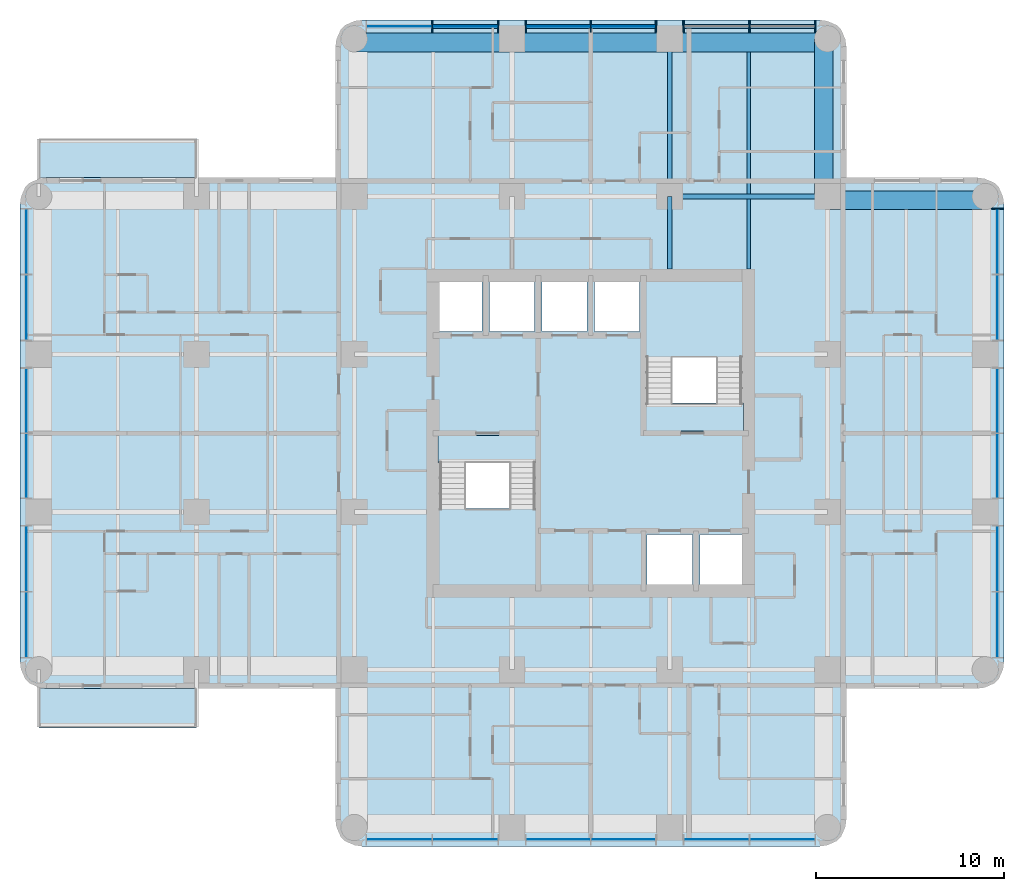
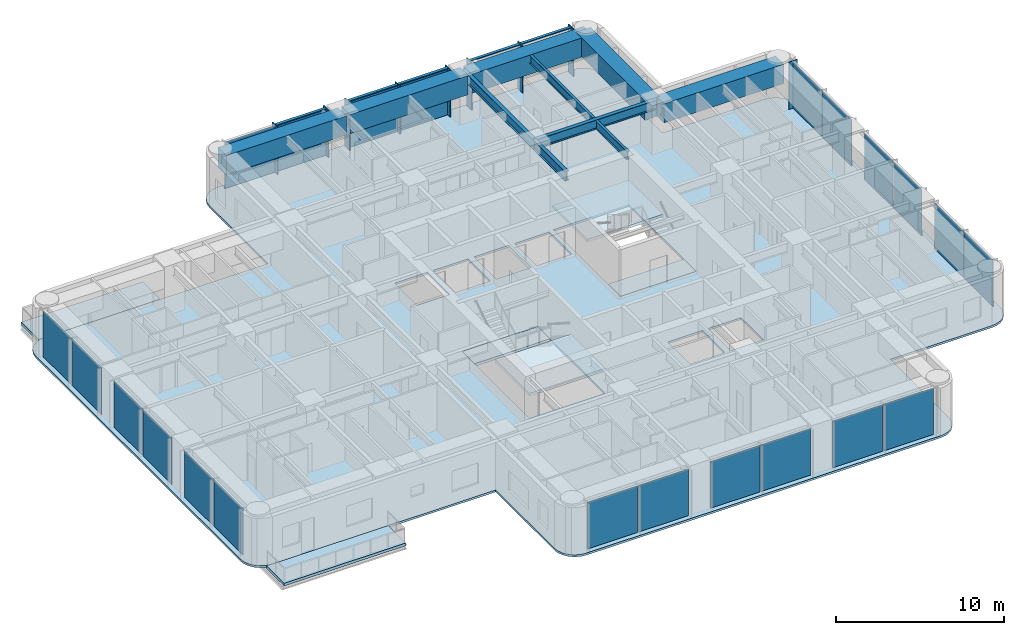
# One storey, part 3 of 11: 22 plates, 14 members, 10 beams, 7 slabs, 6 elements without a shape of their own.
"""IFC4 building model written with IfcOpenShell, lengths in metres."""

from ifc_helpers import new_model, si_unit, direction, frame, origin, origin_2d, place, context, subcontext, project, spatial, polyline, rectangle, i_section, outline, extrude, material, layer, layer_set, material_profile, profile_set, type_object, element, aggregate, save


model = new_model("IFC4")

# Units and contexts
model_context = context("Model", 3, precision=1e-05, world=origin(), true_north=direction((0.0, 1.0)))
body_context = subcontext(model_context, "Body", "Model", "MODEL_VIEW")
ifc_project = project(units=[si_unit("LENGTHUNIT", "METRE"), si_unit("AREAUNIT", "SQUARE_METRE"), si_unit("VOLUMEUNIT", "CUBIC_METRE"), si_unit("PLANEANGLEUNIT", "RADIAN"), si_unit("MASSUNIT", "GRAM", prefix="KILO")], contexts=[model_context])

# Site, building, storey
site_placement = place(None, origin())
site = spatial("IfcSite", under=ifc_project, at=site_placement, CompositionType="ELEMENT")
building_placement = place(site_placement, origin())
building = spatial("IfcBuilding", under=site, at=building_placement, Name="Torre Alcanfor", CompositionType="ELEMENT")
storey_placement = place(building_placement, frame((0.0, 0.0, 201.300048828125)))
storey = spatial("IfcBuildingStorey", under=building, at=storey_placement, Name="L52", CompositionType="ELEMENT", Elevation=201.300048828125)

# Curtain wall, member
ifc_material_1 = material(Name="Aluminium and glass", Category="aluminium")
curtain_wall_type = type_object("IfcCurtainWallType", Name="CW-A unitised apartment glazing with vertical FIN", PredefinedType="NOTDEFINED", material=ifc_material_1)
curtain_wall_1_placement = place(storey_placement, origin())
curtain_wall_1 = element("IfcCurtainWall", 1, at=curtain_wall_1_placement, inside=storey, type_object=curtain_wall_type, Name="Curtain wall CW-A L52 8", PredefinedType="NOTDEFINED")
ifc_material_2 = material(Name="Bronze anodised aluminium", Category="aluminium")
ifc_material_profile_1 = material_profile(ifc_material_2, rectangle(XDim=0.60009765625, YDim=0.06494140625, at=origin_2d()), Name="CW-A mullion 65x600")
ifc_profile_set_1 = profile_set([ifc_material_profile_1], Name="Bronze anodised aluminium")
member_type_1 = type_object("IfcMemberType", Name="CW-A mullion with vertical FIN 65x600", PredefinedType="MULLION", material=ifc_profile_set_1)
member_1_placement = place(storey_placement, frame((51.050048828125, 41.35546875, 0.0), z_axis=(0.0, 0.0, 1.0), x_axis=(-1.0, 0.0, 0.0)))
member_1 = element("IfcMember", 2, at=member_1_placement, type_object=member_type_1, Name="CW-A mullion 3.3", PredefinedType="MULLION", context=body_context, shape_type="SweptSolid", body=[
    extrude(rectangle(XDim=0.60009765625, YDim=0.06494140625, at=origin_2d()), origin(), (0.0, 0.0, 1.0), 3.449951171875),
])

# Curtain wall, members
curtain_wall_2_placement = place(storey_placement, origin())
curtain_wall_2 = element("IfcCurtainWall", 3, at=curtain_wall_2_placement, inside=storey, type_object=curtain_wall_type, Name="Curtain wall CW-A L52 11", PredefinedType="NOTDEFINED")
member_2_placement = place(storey_placement, frame((41.35546875, 51.050048828125, 0.0), z_axis=(0.0, 0.0, 1.0), x_axis=(0.0, -1.0, 0.0)))
member_2 = element("IfcMember", 4, at=member_2_placement, type_object=member_type_1, Name="CW-A mullion 1.1", PredefinedType="MULLION", context=body_context, shape_type="SweptSolid", body=[
    extrude(rectangle(XDim=0.60009765625, YDim=0.06494140625, at=origin_2d()), origin(), (0.0, 0.0, 1.0), 3.449951171875),
])
member_3_placement = place(storey_placement, frame((37.846435546875, 51.050048828125, 0.0), z_axis=(0.0, 0.0, 1.0), x_axis=(0.0, -1.0, 0.0)))
member_3 = element("IfcMember", 5, at=member_3_placement, type_object=member_type_1, Name="CW-A mullion 1.2", PredefinedType="MULLION", context=body_context, shape_type="SweptSolid", body=[
    extrude(rectangle(XDim=0.60009765625, YDim=0.06494140625, at=origin_2d()), origin(), (0.0, 0.0, 1.0), 3.449951171875),
])
member_4_placement = place(storey_placement, frame((34.33740234375, 51.050048828125, 0.0), z_axis=(0.0, 0.0, 1.0), x_axis=(0.0, -1.0, 0.0)))
member_4 = element("IfcMember", 6, at=member_4_placement, type_object=member_type_1, Name="CW-A mullion 1.3", PredefinedType="MULLION", context=body_context, shape_type="SweptSolid", body=[
    extrude(rectangle(XDim=0.60009765625, YDim=0.06494140625, at=origin_2d()), origin(), (0.0, 0.0, 1.0), 3.449951171875),
])
member_5_placement = place(storey_placement, frame((32.862548828125, 51.050048828125, 0.0), z_axis=(0.0, 0.0, 1.0), x_axis=(0.0, -1.0, 0.0)))
member_5 = element("IfcMember", 7, at=member_5_placement, type_object=member_type_1, Name="CW-A mullion 2.1", PredefinedType="MULLION", context=body_context, shape_type="SweptSolid", body=[
    extrude(rectangle(XDim=0.60009765625, YDim=0.06494140625, at=origin_2d()), origin(), (0.0, 0.0, 1.0), 3.449951171875),
])
member_6_placement = place(storey_placement, frame((29.39990234375, 51.050048828125, 0.0), z_axis=(0.0, 0.0, 1.0), x_axis=(0.0, -1.0, 0.0)))
member_6 = element("IfcMember", 8, at=member_6_placement, type_object=member_type_1, Name="CW-A mullion 2.2", PredefinedType="MULLION", context=body_context, shape_type="SweptSolid", body=[
    extrude(rectangle(XDim=0.60009765625, YDim=0.06494140625, at=origin_2d()), origin(), (0.0, 0.0, 1.0), 3.449951171875),
])
member_7_placement = place(storey_placement, frame((25.9375, 51.050048828125, 0.0), z_axis=(0.0, 0.0, 1.0), x_axis=(0.0, -1.0, 0.0)))
member_7 = element("IfcMember", 9, at=member_7_placement, type_object=member_type_1, Name="CW-A mullion 2.3", PredefinedType="MULLION", context=body_context, shape_type="SweptSolid", body=[
    extrude(rectangle(XDim=0.60009765625, YDim=0.06494140625, at=origin_2d()), origin(), (0.0, 0.0, 1.0), 3.449951171875),
])
member_8_placement = place(storey_placement, frame((24.46240234375, 51.050048828125, 0.0), z_axis=(0.0, 0.0, 1.0), x_axis=(0.0, -1.0, 0.0)))
member_8 = element("IfcMember", 10, at=member_8_placement, type_object=member_type_1, Name="CW-A mullion 3.1", PredefinedType="MULLION", context=body_context, shape_type="SweptSolid", body=[
    extrude(rectangle(XDim=0.60009765625, YDim=0.06494140625, at=origin_2d()), origin(), (0.0, 0.0, 1.0), 3.449951171875),
])
member_9_placement = place(storey_placement, frame((20.95361328125, 51.050048828125, 0.0), z_axis=(0.0, 0.0, 1.0), x_axis=(0.0, -1.0, 0.0)))
member_9 = element("IfcMember", 11, at=member_9_placement, type_object=member_type_1, Name="CW-A mullion 3.2", PredefinedType="MULLION", context=body_context, shape_type="SweptSolid", body=[
    extrude(rectangle(XDim=0.60009765625, YDim=0.06494140625, at=origin_2d()), origin(), (0.0, 0.0, 1.0), 3.449951171875),
])
ifc_material_3 = material(Name="Extruded aluminium", Category="aluminium")
ifc_material_profile_2 = material_profile(ifc_material_3, rectangle(XDim=0.199951171875, YDim=0.06494140625, at=origin_2d()), Name="CW-A transom 200x65")
ifc_profile_set_2 = profile_set([ifc_material_profile_2], Name="Extruded aluminium")
member_type_2 = type_object("IfcMemberType", Name="CW-A transom 65x200", PredefinedType="USERDEFINED", material=ifc_profile_set_2)
member_10_placement = place(storey_placement, frame((41.322998046875, 51.050048828125, 3.41748046875), z_axis=(-1.0, 0.0, 0.0), x_axis=(0.0, -1.0, 0.0)))
member_10 = element("IfcMember", 12, at=member_10_placement, type_object=member_type_2, Name="CW-A transom 1.1.2", ObjectType="TRANSOM", PredefinedType="USERDEFINED", context=body_context, shape_type="SweptSolid", body=[
    extrude(rectangle(XDim=0.199951171875, YDim=0.06494140625, at=origin_2d()), origin(), (0.0, 0.0, 1.0), 3.444091796875),
])
member_11_placement = place(storey_placement, frame((37.81396484375, 51.050048828125, 3.41748046875), z_axis=(-1.0, 0.0, 0.0), x_axis=(0.0, -1.0, 0.0)))
member_11 = element("IfcMember", 13, at=member_11_placement, type_object=member_type_2, Name="CW-A transom 1.2.2", ObjectType="TRANSOM", PredefinedType="USERDEFINED", context=body_context, shape_type="SweptSolid", body=[
    extrude(rectangle(XDim=0.199951171875, YDim=0.06494140625, at=origin_2d()), origin(), (0.0, 0.0, 1.0), 3.44384765625),
])
member_12_placement = place(storey_placement, frame((32.830078125, 51.050048828125, 3.41748046875), z_axis=(-1.0, 0.0, 0.0), x_axis=(0.0, -1.0, 0.0)))
member_12 = element("IfcMember", 14, at=member_12_placement, type_object=member_type_2, Name="CW-A transom 2.1.2", ObjectType="TRANSOM", PredefinedType="USERDEFINED", context=body_context, shape_type="SweptSolid", body=[
    extrude(rectangle(XDim=0.199951171875, YDim=0.06494140625, at=origin_2d()), origin(), (0.0, 0.0, 1.0), 3.3974609375),
])
member_13_placement = place(storey_placement, frame((29.367431640625, 51.050048828125, 3.41748046875), z_axis=(-1.0, 0.0, 0.0), x_axis=(0.0, -1.0, 0.0)))
member_13 = element("IfcMember", 15, at=member_13_placement, type_object=member_type_2, Name="CW-A transom 2.2.2", ObjectType="TRANSOM", PredefinedType="USERDEFINED", context=body_context, shape_type="SweptSolid", body=[
    extrude(rectangle(XDim=0.199951171875, YDim=0.06494140625, at=origin_2d()), origin(), (0.0, 0.0, 1.0), 3.3974609375),
])
member_14_placement = place(storey_placement, frame((24.429931640625, 51.050048828125, 3.41748046875), z_axis=(-1.0, 0.0, 0.0), x_axis=(0.0, -1.0, 0.0)))
member_14 = element("IfcMember", 16, at=member_14_placement, type_object=member_type_2, Name="CW-A transom 3.1.2", ObjectType="TRANSOM", PredefinedType="USERDEFINED", context=body_context, shape_type="SweptSolid", body=[
    extrude(rectangle(XDim=0.199951171875, YDim=0.06494140625, at=origin_2d()), origin(), (0.0, 0.0, 1.0), 3.44384765625),
])

# Beams
ifc_material_4 = material(Name="Steel ASTM A992 Grade 50", Category="steel")
ifc_material_profile_3 = material_profile(ifc_material_4, i_section(OverallWidth=0.25390625, OverallDepth=0.683349609375, WebThickness=0.012451171875, FlangeThickness=0.01904296875, at=origin_2d()), Name="W27x94")
ifc_profile_set_3 = profile_set([ifc_material_profile_3], Name="Steel ASTM A992 Grade 50")
beam_type_1 = type_object("IfcBeamType", Name="Girder W27x94", PredefinedType="BEAM", material=ifc_profile_set_3)
for number, where, z_axis, x_axis, name in (
    (17, (33.60009765625, 42.0, 3.1083984375), (1.0, 0.0, 0.0), (0.0, 1.0, 0.0), "Beam 5H-6H under L53"),
    (18, (33.60009765625, 42.0, 3.1083984375), (0.0, 1.0, 0.0), (-1.0, 0.0, 0.0), "Beam 5H-5J under L53"),
):
    element("IfcBeam", number, at=place(storey_placement, frame(where, z_axis=z_axis, x_axis=x_axis)), inside=storey, type_object=beam_type_1, Name=name, PredefinedType="BEAM", context=body_context, shape_type="SweptSolid", body=[
        extrude(i_section(OverallWidth=0.25390625, OverallDepth=0.683349609375, WebThickness=0.012451171875, FlangeThickness=0.01904296875, at=origin_2d()), origin(), (0.0, 0.0, 1.0), 8.39990234375),
    ])
ifc_material_5 = material(Name="Steel ASTM A992 Grade 50", Category="steel")
ifc_material_profile_4 = material_profile(ifc_material_5, i_section(OverallWidth=0.25390625, OverallDepth=0.683349609375, WebThickness=0.012451171875, FlangeThickness=0.01904296875, at=origin_2d()), Name="W27x94")
ifc_profile_set_4 = profile_set([ifc_material_profile_4], Name="Steel ASTM A992 Grade 50")
beam_type_2 = type_object("IfcBeamType", Name="Girder, part bay W27x94", PredefinedType="BEAM", material=ifc_profile_set_4)
beam_1_placement = place(storey_placement, frame((33.60009765625, 42.0, 3.1083984375), z_axis=(0.0, -1.0, 0.0), x_axis=(1.0, 0.0, 0.0)))
element("IfcBeam", 19, at=beam_1_placement, inside=storey, type_object=beam_type_2, Name="Beam 5H-538_15 under L53", PredefinedType="BEAM", context=body_context, shape_type="SweptSolid", body=[
    extrude(i_section(OverallWidth=0.25390625, OverallDepth=0.683349609375, WebThickness=0.012451171875, FlangeThickness=0.01904296875, at=origin_2d()), origin(), (0.0, 0.0, 1.0), 3.85009765625),
])
ifc_material_6 = material(Name="Concrete f'c 70 MPa", Category="concrete")
ifc_material_profile_5 = material_profile(ifc_material_6, rectangle(XDim=1.0, YDim=1.39990234375, at=origin_2d()), Name="1000x1400")
ifc_profile_set_5 = profile_set([ifc_material_profile_5], Name="Concrete f'c 70 MPa")
beam_type_3 = type_object("IfcBeamType", Name="RC perimeter beam 1000x1400", PredefinedType="BEAM", material=ifc_profile_set_5)
for number, where, z_axis, x_axis, name in (
    (20, (42.126953125, 41.800048828125, 2.75), (1.0, 0.0, 0.0), (0.0, 1.0, 0.0), "Beam 6H-7H under L53"),
    (21, (16.800048828125, 50.199951171875, 2.75), (1.0, 0.0, 0.0), (0.0, 1.0, 0.0), "Beam 3J-4J under L53"),
):
    element("IfcBeam", number, at=place(storey_placement, frame(where, z_axis=z_axis, x_axis=x_axis)), inside=storey, type_object=beam_type_3, Name=name, PredefinedType="BEAM", context=body_context, shape_type="SweptSolid", body=[
        extrude(rectangle(XDim=1.0, YDim=1.39990234375, at=origin_2d()), origin(), (0.0, 0.0, 1.0), 8.27294921875),
    ])
beam_2_placement = place(storey_placement, frame((25.326904296875, 50.199951171875, 2.75), z_axis=(1.0, 0.0, 0.0), x_axis=(0.0, 1.0, 0.0)))
element("IfcBeam", 22, at=beam_2_placement, inside=storey, type_object=beam_type_3, Name="Beam 4J-5J under L53", PredefinedType="BEAM", context=body_context, shape_type="SweptSolid", body=[
    extrude(rectangle(XDim=1.0, YDim=1.39990234375, at=origin_2d()), origin(), (0.0, 0.0, 1.0), 8.14599609375),
])
for number, where, z_axis, x_axis, name in (
    (23, (33.72705078125, 50.199951171875, 2.75), (1.0, 0.0, 0.0), (0.0, 1.0, 0.0), "Beam 5J-6J under L53"),
    (24, (41.800048828125, 42.126953125, 2.75), (0.0, 1.0, 0.0), (-1.0, 0.0, 0.0), "Beam 6H-6J under L53"),
):
    element("IfcBeam", number, at=place(storey_placement, frame(where, z_axis=z_axis, x_axis=x_axis)), inside=storey, type_object=beam_type_3, Name=name, PredefinedType="BEAM", context=body_context, shape_type="SweptSolid", body=[
        extrude(rectangle(XDim=1.0, YDim=1.39990234375, at=origin_2d()), origin(), (0.0, 0.0, 1.0), 8.27294921875),
    ])
ifc_material_7 = material(Name="Steel ASTM A992 Grade 50", Category="steel")
ifc_material_profile_6 = material_profile(ifc_material_7, i_section(OverallWidth=0.1787109375, OverallDepth=0.60205078125, WebThickness=0.010986328125, FlangeThickness=0.014892578125, at=origin_2d()), Name="W24x62")
ifc_profile_set_6 = profile_set([ifc_material_profile_6], Name="Steel ASTM A992 Grade 50")
beam_type_4 = type_object("IfcBeamType", Name="Secondary beam W24x62", PredefinedType="BEAM", material=ifc_profile_set_6)
beam_3_placement = place(storey_placement, frame((37.800048828125, 42.126953125, 3.14892578125), z_axis=(0.0, 1.0, 0.0), x_axis=(-1.0, 0.0, 0.0)))
element("IfcBeam", 25, at=beam_3_placement, inside=storey, type_object=beam_type_4, Name="Beam 37_8H-37_8J under L53", PredefinedType="BEAM", context=body_context, shape_type="SweptSolid", body=[
    extrude(i_section(OverallWidth=0.1787109375, OverallDepth=0.60205078125, WebThickness=0.010986328125, FlangeThickness=0.014892578125, at=origin_2d()), origin(), (0.0, 0.0, 1.0), 7.572998046875),
])
ifc_material_8 = material(Name="Steel ASTM A992 Grade 50", Category="steel")
ifc_material_profile_7 = material_profile(ifc_material_8, i_section(OverallWidth=0.1787109375, OverallDepth=0.60205078125, WebThickness=0.010986328125, FlangeThickness=0.014892578125, at=origin_2d()), Name="W24x62")
ifc_profile_set_7 = profile_set([ifc_material_profile_7], Name="Steel ASTM A992 Grade 50")
beam_type_5 = type_object("IfcBeamType", Name="Secondary beam, part bay W24x62", PredefinedType="BEAM", material=ifc_profile_set_7)
beam_4_placement = place(storey_placement, frame((37.800048828125, 38.14990234375, 3.14892578125), z_axis=(0.0, 1.0, 0.0), x_axis=(-1.0, 0.0, 0.0)))
element("IfcBeam", 26, at=beam_4_placement, inside=storey, type_object=beam_type_5, Name="Beam 37_838_15-37_8H under L53", PredefinedType="BEAM", context=body_context, shape_type="SweptSolid", body=[
    extrude(i_section(OverallWidth=0.1787109375, OverallDepth=0.60205078125, WebThickness=0.010986328125, FlangeThickness=0.014892578125, at=origin_2d()), origin(), (0.0, 0.0, 1.0), 3.72314453125),
])

# Slabs
ifc_material_9 = material(Name="Concrete f'c 35 MPa", Category="concrete")
ifc_layer_1 = layer(ifc_material_9, 0.199951171875)
ifc_layer_set_1 = layer_set([ifc_layer_1], Name="Balcony slab 200")
slab_type_1 = type_object("IfcSlabType", Name="Balcony slab 200", PredefinedType="FLOOR", material=ifc_layer_set_1)
slab_1_placement = place(storey_placement, frame((0.0, 0.0, -0.199951171875)))
element("IfcSlab", 27, at=slab_1_placement, inside=storey, type_object=slab_type_1, Name="Balcony L52-W1", PredefinedType="FLOOR", context=body_context, shape_type="SweptSolid", body=[
    extrude(outline(polyline([(8.39990234375, 15.800048828125), (0.0, 15.800048828125), (0.0, 13.699951171875), (8.39990234375, 13.699951171875), (8.39990234375, 15.800048828125)])), origin(), (0.0, 0.0, 1.0), 0.199951171875),
])
slab_2_placement = place(storey_placement, frame((0.0, 0.0, -0.199951171875)))
element("IfcSlab", 28, at=slab_2_placement, inside=storey, type_object=slab_type_1, Name="Balcony L52-W2", PredefinedType="FLOOR", context=body_context, shape_type="SweptSolid", body=[
    extrude(outline(polyline([(8.39990234375, 45.10009765625), (0.0, 45.10009765625), (0.0, 43.0), (8.39990234375, 43.0), (8.39990234375, 45.10009765625)])), origin(), (0.0, 0.0, 1.0), 0.199951171875),
])

# Curtain wall, plates
curtain_wall_3_placement = place(storey_placement, origin())
curtain_wall_3 = element("IfcCurtainWall", 29, at=curtain_wall_3_placement, inside=storey, type_object=curtain_wall_type, Name="Curtain wall CW-A L52 2", PredefinedType="NOTDEFINED")
ifc_material_10 = material(Name="Glass", Category="glass")
ifc_layer_2 = layer(ifc_material_10, 0.028076171875)
ifc_layer_set_2 = layer_set([ifc_layer_2], Name="CW-A clear double glazed unit")
plate_type = type_object("IfcPlateType", Name="CW-A clear double glazed unit", PredefinedType="CURTAIN_PANEL", material=ifc_layer_set_2)
plate_1_placement = place(storey_placement, frame((-0.64990234375, 39.60107421875, 0.0), z_axis=(0.0, 0.0, 1.0), x_axis=(0.0, -1.0, 0.0)))
plate_1 = element("IfcPlate", 30, at=plate_1_placement, type_object=plate_type, Name="CW-A panel 1.1.1", PredefinedType="CURTAIN_PANEL", context=body_context, shape_type="SweptSolid", body=[
    extrude(rectangle(XDim=3.444091796875, YDim=0.028076171875, at=origin_2d()), origin(), (0.0, 0.0, 1.0), 3.385009765625),
])
plate_2_placement = place(storey_placement, frame((-0.64990234375, 36.092041015625, 0.0), z_axis=(0.0, 0.0, 1.0), x_axis=(0.0, -1.0, 0.0)))
plate_2 = element("IfcPlate", 31, at=plate_2_placement, type_object=plate_type, Name="CW-A panel 1.2.1", PredefinedType="CURTAIN_PANEL", context=body_context, shape_type="SweptSolid", body=[
    extrude(rectangle(XDim=3.444091796875, YDim=0.028076171875, at=origin_2d()), origin(), (0.0, 0.0, 1.0), 3.385009765625),
])
plate_3_placement = place(storey_placement, frame((-0.64990234375, 31.13134765625, 0.0), z_axis=(0.0, 0.0, 1.0), x_axis=(0.0, -1.0, 0.0)))
plate_3 = element("IfcPlate", 32, at=plate_3_placement, type_object=plate_type, Name="CW-A panel 2.1.1", PredefinedType="CURTAIN_PANEL", context=body_context, shape_type="SweptSolid", body=[
    extrude(rectangle(XDim=3.3974609375, YDim=0.028076171875, at=origin_2d()), origin(), (0.0, 0.0, 1.0), 3.385009765625),
])
plate_4_placement = place(storey_placement, frame((-0.64990234375, 27.668701171875, 0.0), z_axis=(0.0, 0.0, 1.0), x_axis=(0.0, -1.0, 0.0)))
plate_4 = element("IfcPlate", 33, at=plate_4_placement, type_object=plate_type, Name="CW-A panel 2.2.1", PredefinedType="CURTAIN_PANEL", context=body_context, shape_type="SweptSolid", body=[
    extrude(rectangle(XDim=3.3974609375, YDim=0.028076171875, at=origin_2d()), origin(), (0.0, 0.0, 1.0), 3.385009765625),
])
plate_5_placement = place(storey_placement, frame((-0.64990234375, 22.7080078125, 0.0), z_axis=(0.0, 0.0, 1.0), x_axis=(0.0, -1.0, 0.0)))
plate_5 = element("IfcPlate", 34, at=plate_5_placement, type_object=plate_type, Name="CW-A panel 3.1.1", PredefinedType="CURTAIN_PANEL", context=body_context, shape_type="SweptSolid", body=[
    extrude(rectangle(XDim=3.444091796875, YDim=0.028076171875, at=origin_2d()), origin(), (0.0, 0.0, 1.0), 3.385009765625),
])
plate_6_placement = place(storey_placement, frame((-0.64990234375, 19.198974609375, 0.0), z_axis=(0.0, 0.0, 1.0), x_axis=(0.0, -1.0, 0.0)))
plate_6 = element("IfcPlate", 35, at=plate_6_placement, type_object=plate_type, Name="CW-A panel 3.2.1", PredefinedType="CURTAIN_PANEL", context=body_context, shape_type="SweptSolid", body=[
    extrude(rectangle(XDim=3.444091796875, YDim=0.028076171875, at=origin_2d()), origin(), (0.0, 0.0, 1.0), 3.385009765625),
])
aggregate(curtain_wall_3, [plate_1, plate_2, plate_3, plate_4, plate_5, plate_6])

curtain_wall_4_placement = place(storey_placement, origin())
curtain_wall_4 = element("IfcCurtainWall", 36, at=curtain_wall_4_placement, inside=storey, type_object=curtain_wall_type, Name="Curtain wall CW-A L52 5", PredefinedType="NOTDEFINED")
plate_7_placement = place(storey_placement, frame((19.198974609375, 7.75, 0.0), z_axis=(0.0, 0.0, 1.0), x_axis=(1.0, 0.0, 0.0)))
plate_7 = element("IfcPlate", 37, at=plate_7_placement, type_object=plate_type, Name="CW-A panel 1.1.1", PredefinedType="CURTAIN_PANEL", context=body_context, shape_type="SweptSolid", body=[
    extrude(rectangle(XDim=3.444091796875, YDim=0.028076171875, at=origin_2d()), origin(), (0.0, 0.0, 1.0), 3.385009765625),
])
plate_8_placement = place(storey_placement, frame((22.7080078125, 7.75, 0.0), z_axis=(0.0, 0.0, 1.0), x_axis=(1.0, 0.0, 0.0)))
plate_8 = element("IfcPlate", 38, at=plate_8_placement, type_object=plate_type, Name="CW-A panel 1.2.1", PredefinedType="CURTAIN_PANEL", context=body_context, shape_type="SweptSolid", body=[
    extrude(rectangle(XDim=3.444091796875, YDim=0.028076171875, at=origin_2d()), origin(), (0.0, 0.0, 1.0), 3.385009765625),
])
plate_9_placement = place(storey_placement, frame((27.668701171875, 7.75, 0.0), z_axis=(0.0, 0.0, 1.0), x_axis=(1.0, 0.0, 0.0)))
plate_9 = element("IfcPlate", 39, at=plate_9_placement, type_object=plate_type, Name="CW-A panel 2.1.1", PredefinedType="CURTAIN_PANEL", context=body_context, shape_type="SweptSolid", body=[
    extrude(rectangle(XDim=3.3974609375, YDim=0.028076171875, at=origin_2d()), origin(), (0.0, 0.0, 1.0), 3.385009765625),
])
plate_10_placement = place(storey_placement, frame((31.13134765625, 7.75, 0.0), z_axis=(0.0, 0.0, 1.0), x_axis=(1.0, 0.0, 0.0)))
plate_10 = element("IfcPlate", 40, at=plate_10_placement, type_object=plate_type, Name="CW-A panel 2.2.1", PredefinedType="CURTAIN_PANEL", context=body_context, shape_type="SweptSolid", body=[
    extrude(rectangle(XDim=3.3974609375, YDim=0.028076171875, at=origin_2d()), origin(), (0.0, 0.0, 1.0), 3.385009765625),
])
plate_11_placement = place(storey_placement, frame((36.092041015625, 7.75, 0.0), z_axis=(0.0, 0.0, 1.0), x_axis=(1.0, 0.0, 0.0)))
plate_11 = element("IfcPlate", 41, at=plate_11_placement, type_object=plate_type, Name="CW-A panel 3.1.1", PredefinedType="CURTAIN_PANEL", context=body_context, shape_type="SweptSolid", body=[
    extrude(rectangle(XDim=3.444091796875, YDim=0.028076171875, at=origin_2d()), origin(), (0.0, 0.0, 1.0), 3.385009765625),
])
plate_12_placement = place(storey_placement, frame((39.60107421875, 7.75, 0.0), z_axis=(0.0, 0.0, 1.0), x_axis=(1.0, 0.0, 0.0)))
plate_12 = element("IfcPlate", 42, at=plate_12_placement, type_object=plate_type, Name="CW-A panel 3.2.1", PredefinedType="CURTAIN_PANEL", context=body_context, shape_type="SweptSolid", body=[
    extrude(rectangle(XDim=3.444091796875, YDim=0.028076171875, at=origin_2d()), origin(), (0.0, 0.0, 1.0), 3.385009765625),
])
aggregate(curtain_wall_4, [plate_7, plate_8, plate_9, plate_10, plate_11, plate_12])

# Plate
plate_13_placement = place(storey_placement, frame((51.050048828125, 19.198974609375, 0.0), z_axis=(0.0, 0.0, 1.0), x_axis=(0.0, 1.0, 0.0)))
plate_13 = element("IfcPlate", 43, at=plate_13_placement, type_object=plate_type, Name="CW-A panel 1.1.1", PredefinedType="CURTAIN_PANEL", context=body_context, shape_type="SweptSolid", body=[
    extrude(rectangle(XDim=3.444091796875, YDim=0.028076171875, at=origin_2d()), origin(), (0.0, 0.0, 1.0), 3.385009765625),
])

plate_14_placement = place(storey_placement, frame((51.050048828125, 22.7080078125, 0.0), z_axis=(0.0, 0.0, 1.0), x_axis=(0.0, 1.0, 0.0)))
plate_14 = element("IfcPlate", 44, at=plate_14_placement, type_object=plate_type, Name="CW-A panel 1.2.1", PredefinedType="CURTAIN_PANEL", context=body_context, shape_type="SweptSolid", body=[
    extrude(rectangle(XDim=3.444091796875, YDim=0.028076171875, at=origin_2d()), origin(), (0.0, 0.0, 1.0), 3.385009765625),
])

plate_15_placement = place(storey_placement, frame((51.050048828125, 27.668701171875, 0.0), z_axis=(0.0, 0.0, 1.0), x_axis=(0.0, 1.0, 0.0)))
plate_15 = element("IfcPlate", 45, at=plate_15_placement, type_object=plate_type, Name="CW-A panel 2.1.1", PredefinedType="CURTAIN_PANEL", context=body_context, shape_type="SweptSolid", body=[
    extrude(rectangle(XDim=3.3974609375, YDim=0.028076171875, at=origin_2d()), origin(), (0.0, 0.0, 1.0), 3.385009765625),
])

plate_16_placement = place(storey_placement, frame((51.050048828125, 31.13134765625, 0.0), z_axis=(0.0, 0.0, 1.0), x_axis=(0.0, 1.0, 0.0)))
plate_16 = element("IfcPlate", 46, at=plate_16_placement, type_object=plate_type, Name="CW-A panel 2.2.1", PredefinedType="CURTAIN_PANEL", context=body_context, shape_type="SweptSolid", body=[
    extrude(rectangle(XDim=3.3974609375, YDim=0.028076171875, at=origin_2d()), origin(), (0.0, 0.0, 1.0), 3.385009765625),
])

plate_17_placement = place(storey_placement, frame((51.050048828125, 36.092041015625, 0.0), z_axis=(0.0, 0.0, 1.0), x_axis=(0.0, 1.0, 0.0)))
plate_17 = element("IfcPlate", 47, at=plate_17_placement, type_object=plate_type, Name="CW-A panel 3.1.1", PredefinedType="CURTAIN_PANEL", context=body_context, shape_type="SweptSolid", body=[
    extrude(rectangle(XDim=3.444091796875, YDim=0.028076171875, at=origin_2d()), origin(), (0.0, 0.0, 1.0), 3.385009765625),
])

plate_18_placement = place(storey_placement, frame((51.050048828125, 39.60107421875, 0.0), z_axis=(0.0, 0.0, 1.0), x_axis=(0.0, 1.0, 0.0)))
plate_18 = element("IfcPlate", 48, at=plate_18_placement, type_object=plate_type, Name="CW-A panel 3.2.1", PredefinedType="CURTAIN_PANEL", context=body_context, shape_type="SweptSolid", body=[
    extrude(rectangle(XDim=3.444091796875, YDim=0.028076171875, at=origin_2d()), origin(), (0.0, 0.0, 1.0), 3.385009765625),
])

aggregate(curtain_wall_1, [plate_13, plate_14, plate_15, plate_16, member_1, plate_17, plate_18])

plate_19_placement = place(storey_placement, frame((31.13134765625, 51.050048828125, 0.0), z_axis=(0.0, 0.0, 1.0), x_axis=(-1.0, 0.0, 0.0)))
plate_19 = element("IfcPlate", 49, at=plate_19_placement, type_object=plate_type, Name="CW-A panel 2.1.1", PredefinedType="CURTAIN_PANEL", context=body_context, shape_type="SweptSolid", body=[
    extrude(rectangle(XDim=3.3974609375, YDim=0.028076171875, at=origin_2d()), origin(), (0.0, 0.0, 1.0), 3.385009765625),
])

plate_20_placement = place(storey_placement, frame((27.668701171875, 51.050048828125, 0.0), z_axis=(0.0, 0.0, 1.0), x_axis=(-1.0, 0.0, 0.0)))
plate_20 = element("IfcPlate", 50, at=plate_20_placement, type_object=plate_type, Name="CW-A panel 2.2.1", PredefinedType="CURTAIN_PANEL", context=body_context, shape_type="SweptSolid", body=[
    extrude(rectangle(XDim=3.3974609375, YDim=0.028076171875, at=origin_2d()), origin(), (0.0, 0.0, 1.0), 3.385009765625),
])

plate_21_placement = place(storey_placement, frame((22.7080078125, 51.050048828125, 0.0), z_axis=(0.0, 0.0, 1.0), x_axis=(-1.0, 0.0, 0.0)))
plate_21 = element("IfcPlate", 51, at=plate_21_placement, type_object=plate_type, Name="CW-A panel 3.1.1", PredefinedType="CURTAIN_PANEL", context=body_context, shape_type="SweptSolid", body=[
    extrude(rectangle(XDim=3.444091796875, YDim=0.028076171875, at=origin_2d()), origin(), (0.0, 0.0, 1.0), 3.385009765625),
])

plate_22_placement = place(storey_placement, frame((19.198974609375, 51.050048828125, 0.0), z_axis=(0.0, 0.0, 1.0), x_axis=(-1.0, 0.0, 0.0)))
plate_22 = element("IfcPlate", 52, at=plate_22_placement, type_object=plate_type, Name="CW-A panel 3.2.1", PredefinedType="CURTAIN_PANEL", context=body_context, shape_type="SweptSolid", body=[
    extrude(rectangle(XDim=3.444091796875, YDim=0.028076171875, at=origin_2d()), origin(), (0.0, 0.0, 1.0), 3.385009765625),
])

aggregate(curtain_wall_2, [member_2, member_3, member_4, member_10, member_11, member_5, member_6, member_7, member_12, plate_19, member_13, plate_20, member_8, member_9, member_14, plate_21, plate_22])

# Slab
ifc_material_11 = material(Name="Concrete f'c 35 MPa", Category="concrete")
ifc_layer_3 = layer(ifc_material_11, 0.14990234375)
ifc_layer_set_3 = layer_set([ifc_layer_3], Name="Composite floor 150 on metal deck")
slab_type_2 = type_object("IfcSlabType", Name="Composite floor 150 on metal deck", PredefinedType="FLOOR", material=ifc_layer_set_3)
slab_3_placement = place(storey_placement, frame((0.0, 0.0, -0.150146484375)))
element("IfcSlab", 53, at=slab_3_placement, inside=storey, type_object=slab_type_2, Name="Floor slab L52", PredefinedType="FLOOR", context=body_context, shape_type="SweptSolid", body=[
    extrude(outline(polyline([(15.800048828125, 43.0), (0.39990234375, 43.0), (0.03759765625, 42.952392578125), (-0.300048828125, 42.8125), (-0.58984375, 42.58984375), (-0.8125, 42.300048828125), (-0.952392578125, 41.96240234375), (-1.0, 41.60009765625), (-1.0, 17.199951171875), (-0.952392578125, 16.837646484375), (-0.8125, 16.5), (-0.58984375, 16.210205078125), (-0.300048828125, 15.987548828125), (0.03759765625, 15.84765625), (0.39990234375, 15.800048828125), (15.800048828125, 15.800048828125), (15.800048828125, 8.800048828125), (15.84765625, 8.437744140625), (15.987548828125, 8.10009765625), (16.210205078125, 7.81005859375), (16.5, 7.587646484375), (16.837646484375, 7.44775390625), (17.199951171875, 7.39990234375), (41.60009765625, 7.39990234375), (41.96240234375, 7.44775390625), (42.300048828125, 7.587646484375), (42.58984375, 7.81005859375), (42.8125, 8.10009765625), (42.952392578125, 8.437744140625), (43.0, 8.800048828125), (43.0, 15.800048828125), (50.0, 15.800048828125), (50.3623046875, 15.84765625), (50.699951171875, 15.987548828125), (50.989990234375, 16.210205078125), (51.21240234375, 16.5), (51.352294921875, 16.837646484375), (51.39990234375, 17.199951171875), (51.39990234375, 41.60009765625), (51.352294921875, 41.96240234375), (51.21240234375, 42.300048828125), (50.989990234375, 42.58984375), (50.699951171875, 42.8125), (50.3623046875, 42.952392578125), (50.0, 43.0), (43.0, 43.0), (43.0, 50.0), (42.952392578125, 50.3623046875), (42.8125, 50.699951171875), (42.58984375, 50.989990234375), (42.300048828125, 51.21240234375), (41.96240234375, 51.352294921875), (41.60009765625, 51.39990234375), (17.199951171875, 51.39990234375), (16.837646484375, 51.352294921875), (16.5, 51.21240234375), (16.210205078125, 50.989990234375), (15.987548828125, 50.699951171875), (15.84765625, 50.3623046875), (15.800048828125, 50.0), (15.800048828125, 43.0)]), holes=[polyline([(21.27001953125, 21.27001953125), (26.47998046875, 21.27001953125), (26.47998046875, 29.280029296875), (21.27001953125, 29.280029296875), (21.27001953125, 21.27001953125)]), polyline([(32.320068359375, 29.52001953125), (37.530029296875, 29.52001953125), (37.530029296875, 37.530029296875), (32.320068359375, 37.530029296875), (32.320068359375, 29.52001953125)]), polyline([(32.39990234375, 21.35009765625), (34.800048828125, 21.35009765625), (34.800048828125, 24.0), (32.39990234375, 24.0), (32.39990234375, 21.35009765625)]), polyline([(35.199951171875, 21.35009765625), (37.449951171875, 21.35009765625), (37.449951171875, 24.0), (35.199951171875, 24.0), (35.199951171875, 21.35009765625)]), polyline([(21.35009765625, 34.800048828125), (23.60009765625, 34.800048828125), (23.60009765625, 37.449951171875), (21.35009765625, 37.449951171875), (21.35009765625, 34.800048828125)]), polyline([(24.0, 34.800048828125), (26.39990234375, 34.800048828125), (26.39990234375, 37.449951171875), (24.0, 37.449951171875), (24.0, 34.800048828125)]), polyline([(26.800048828125, 34.800048828125), (29.199951171875, 34.800048828125), (29.199951171875, 37.449951171875), (26.800048828125, 37.449951171875), (26.800048828125, 34.800048828125)]), polyline([(29.60009765625, 34.800048828125), (32.0, 34.800048828125), (32.0, 37.449951171875), (29.60009765625, 37.449951171875), (29.60009765625, 34.800048828125)])]), origin(), (0.0, 0.0, 1.0), 0.150146484375),
])

# Stair, slabs
ifc_material_12 = material(Name="Concrete f'c 35 MPa", Category="concrete")
stair_type_1 = type_object("IfcStairType", Name="Exit stair S1 1400 wide", PredefinedType="HALF_TURN_STAIR", material=ifc_material_12)
stair_1_placement = place(storey_placement, origin())
stair_1 = element("IfcStair", 54, at=stair_1_placement, inside=storey, type_object=stair_type_1, Name="Stair S1 L52 to L53", PredefinedType="HALF_TURN_STAIR")
ifc_material_13 = material(Name="Concrete f'c 35 MPa", Category="concrete")
ifc_layer_4 = layer(ifc_material_13, 0.199951171875)
ifc_layer_set_4 = layer_set([ifc_layer_4], Name="Stair landing 200")
slab_type_3 = type_object("IfcSlabType", Name="Stair landing 200", PredefinedType="LANDING", material=ifc_layer_set_4)
slab_4_placement = place(storey_placement, frame((0.0, 0.0, -0.199951171875)))
slab_4 = element("IfcSlab", 55, at=slab_4_placement, type_object=slab_type_3, Name="S1 landing 1", PredefinedType="LANDING", context=body_context, shape_type="SweptSolid", body=[
    extrude(outline(polyline([(21.27001953125, 27.800048828125), (26.47998046875, 27.800048828125), (26.47998046875, 29.280029296875), (21.27001953125, 29.280029296875), (21.27001953125, 27.800048828125)])), origin(), (0.0, 0.0, 1.0), 0.199951171875),
])
slab_5_placement = place(storey_placement, frame((0.0, 0.0, 1.599853515625)))
slab_5 = element("IfcSlab", 56, at=slab_5_placement, type_object=slab_type_3, Name="S1 landing 2", PredefinedType="LANDING", context=body_context, shape_type="SweptSolid", body=[
    extrude(outline(polyline([(21.27001953125, 21.27001953125), (26.530029296875, 21.27001953125), (26.530029296875, 25.3798828125), (21.27001953125, 25.3798828125), (21.27001953125, 21.27001953125)])), origin(), (0.0, 0.0, 1.0), 0.2001953125),
])
aggregate(stair_1, [slab_4, slab_5])

ifc_material_14 = material(Name="Concrete f'c 35 MPa", Category="concrete")
stair_type_2 = type_object("IfcStairType", Name="Exit stair S2 1400 wide", PredefinedType="HALF_TURN_STAIR", material=ifc_material_14)
stair_2_placement = place(storey_placement, origin())
stair_2 = element("IfcStair", 57, at=stair_2_placement, inside=storey, type_object=stair_type_2, Name="Stair S2 L52 to L53", PredefinedType="HALF_TURN_STAIR")
slab_6_placement = place(storey_placement, frame((0.0, 0.0, -0.199951171875)))
slab_6 = element("IfcSlab", 58, at=slab_6_placement, type_object=slab_type_3, Name="S2 landing 1", PredefinedType="LANDING", context=body_context, shape_type="SweptSolid", body=[
    extrude(outline(polyline([(32.320068359375, 29.52001953125), (37.530029296875, 29.52001953125), (37.530029296875, 31.0), (32.320068359375, 31.0), (32.320068359375, 29.52001953125)])), origin(), (0.0, 0.0, 1.0), 0.199951171875),
])
slab_7_placement = place(storey_placement, frame((0.0, 0.0, 1.599853515625)))
slab_7 = element("IfcSlab", 59, at=slab_7_placement, type_object=slab_type_3, Name="S2 landing 2", PredefinedType="LANDING", context=body_context, shape_type="SweptSolid", body=[
    extrude(outline(polyline([(32.27001953125, 33.419921875), (37.530029296875, 33.419921875), (37.530029296875, 37.530029296875), (32.27001953125, 37.530029296875), (32.27001953125, 33.419921875)])), origin(), (0.0, 0.0, 1.0), 0.2001953125),
])
aggregate(stair_2, [slab_6, slab_7])

save(model, "model.ifc")
